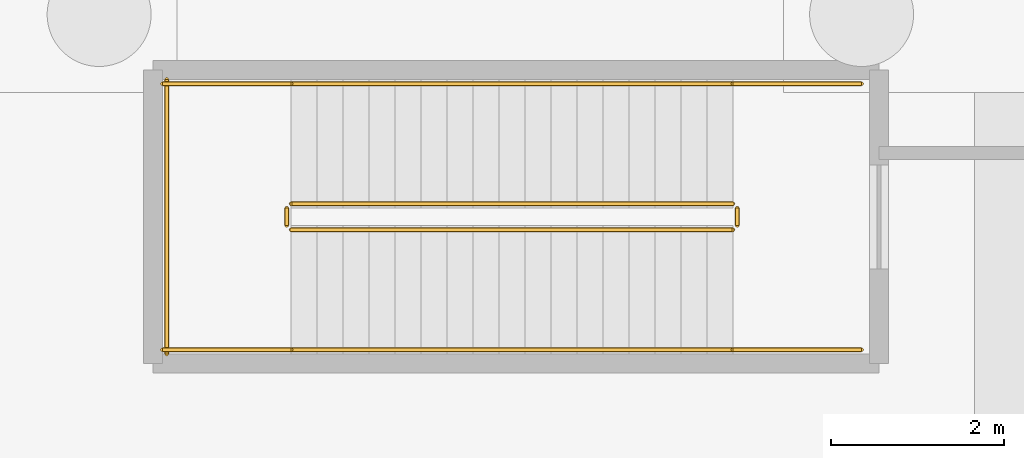
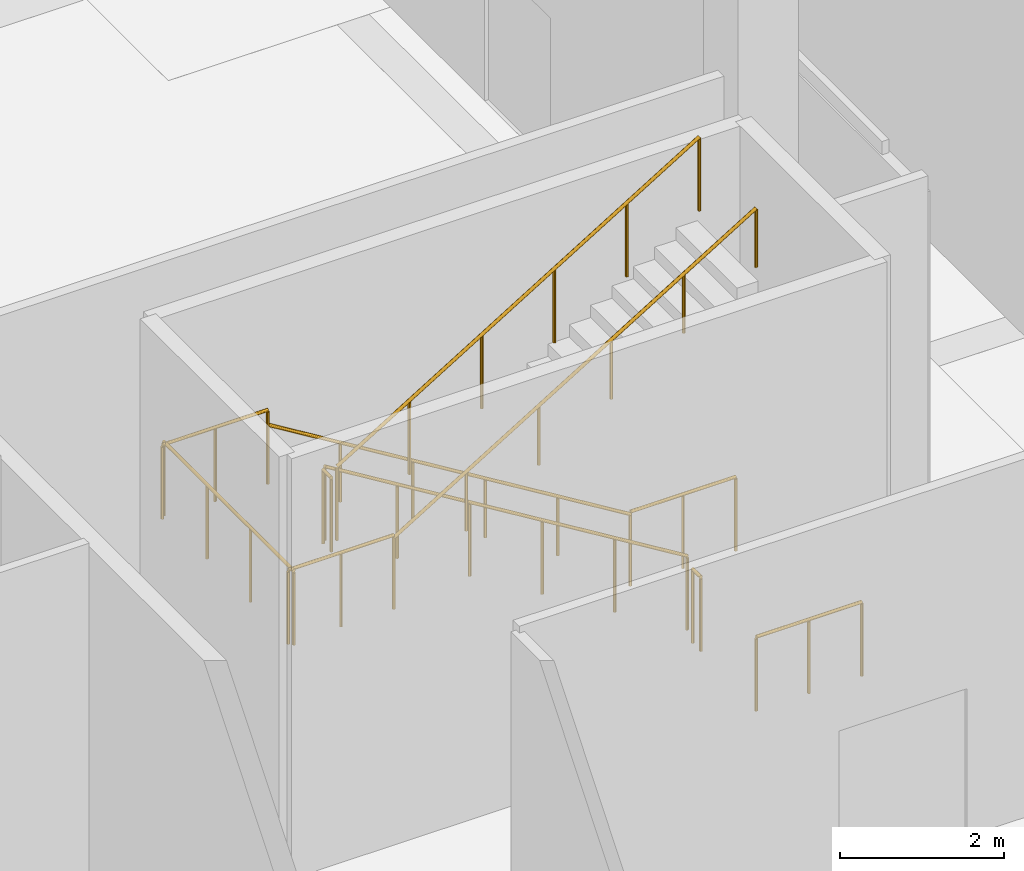
# One storey, part 110 of 117: 11 railings.
"""IFC4 building model written with IfcOpenShell, lengths in metres."""

from ifc_helpers import new_model, si_unit, direction, frame, origin, origin_2d, place, context, subcontext, project, spatial, circle, extrude, material, type_object, element, save


model = new_model("IFC4")

# Units and contexts
model_context = context("Model", 3, precision=1e-05, world=origin(), true_north=direction((0.0, 1.0)))
body_context = subcontext(model_context, "Body", "Model", "MODEL_VIEW")
ifc_project = project(units=[si_unit("LENGTHUNIT", "METRE"), si_unit("AREAUNIT", "SQUARE_METRE"), si_unit("VOLUMEUNIT", "CUBIC_METRE"), si_unit("PLANEANGLEUNIT", "RADIAN"), si_unit("MASSUNIT", "GRAM", prefix="KILO")], contexts=[model_context])

# Site, building, storey
site_placement = place(None, origin())
site = spatial("IfcSite", under=ifc_project, at=site_placement, CompositionType="ELEMENT")
building_placement = place(site_placement, origin())
building = spatial("IfcBuilding", under=site, at=building_placement, Name="Kamomehara Wholesale Market", CompositionType="ELEMENT")
storey_placement = place(building_placement, origin())
storey = spatial("IfcBuildingStorey", under=building, at=storey_placement, Name="L00", CompositionType="ELEMENT", Elevation=0.0)

# Railings
ifc_material_1 = material(Name="Steel SN400B", Category="steel")
railing_type_1 = type_object("IfcRailingType", Name="RAL-HND-900", PredefinedType="HANDRAIL", material=ifc_material_1)
railing_1_placement = place(storey_placement, frame((176.9150390625, 57.60009765625, 0.183349609375)))
element("IfcRailing", 1, at=railing_1_placement, inside=storey, type_object=railing_type_1, Name="L00 ST-10 stair handrail 1", PredefinedType="HANDRAIL", context=body_context, shape_type="SweptSolid", body=[
    extrude(circle(Radius=0.02392578125, at=origin_2d()), frame((0.0, 0.0, 0.8759765625), z_axis=(-0.853283853024, 0.0, 0.521446705012), x_axis=(0.0, -1.0, 0.0)), (0.0, 0.0, 1.0), 5.97705078125),
    extrude(circle(Radius=0.02099609375, at=origin_2d()), origin(), (0.0, 0.0, 1.0), 0.851806640625),
    extrude(circle(Radius=0.02099609375, at=origin_2d()), frame((-1.02001953125, 0.0, 0.623291015625)), (0.0, 0.0, 1.0), 0.851806640625),
    extrude(circle(Radius=0.02099609375, at=origin_2d()), frame((-2.0400390625, 0.0, 1.24658203125)), (0.0, 0.0, 1.0), 0.851806640625),
    extrude(circle(Radius=0.02099609375, at=origin_2d()), frame((-3.06005859375, 0.0, 1.8701171875)), (0.0, 0.0, 1.0), 0.851806640625),
    extrude(circle(Radius=0.02099609375, at=origin_2d()), frame((-4.080078125, 0.0, 2.493408203125)), (0.0, 0.0, 1.0), 0.851806640625),
    extrude(circle(Radius=0.02099609375, at=origin_2d()), frame((-5.10009765625, 0.0, 3.11669921875)), (0.0, 0.0, 1.0), 0.851806640625),
])
railing_2_placement = place(storey_placement, frame((171.81494140625, 54.530029296875, 3.4833984375)))
element("IfcRailing", 2, at=railing_2_placement, inside=storey, type_object=railing_type_1, Name="L00 ST-10 stair handrail 2", PredefinedType="HANDRAIL", context=body_context, shape_type="SweptSolid", body=[
    extrude(circle(Radius=0.02392578125, at=origin_2d()), frame((0.0, 0.0, 0.8759765625), z_axis=(0.853283853024, 0.0, 0.521446705012), x_axis=(0.0, 1.0, 0.0)), (0.0, 0.0, 1.0), 5.97705078125),
    extrude(circle(Radius=0.02099609375, at=origin_2d()), origin(), (0.0, 0.0, 1.0), 0.851806640625),
    extrude(circle(Radius=0.02099609375, at=origin_2d()), frame((1.02001953125, 0.0, 0.623291015625)), (0.0, 0.0, 1.0), 0.851806640625),
    extrude(circle(Radius=0.02099609375, at=origin_2d()), frame((2.0400390625, 0.0, 1.24658203125)), (0.0, 0.0, 1.0), 0.851806640625),
    extrude(circle(Radius=0.02099609375, at=origin_2d()), frame((3.06005859375, 0.0, 1.8701171875)), (0.0, 0.0, 1.0), 0.851806640625),
    extrude(circle(Radius=0.02099609375, at=origin_2d()), frame((4.080078125, 0.0, 2.493408203125)), (0.0, 0.0, 1.0), 0.851806640625),
    extrude(circle(Radius=0.02099609375, at=origin_2d()), frame((5.10009765625, 0.0, 3.11669921875)), (0.0, 0.0, 1.0), 0.851806640625),
])
ifc_material_2 = material(Name="Steel SN400B", Category="steel")
railing_type_2 = type_object("IfcRailingType", Name="RAL-INT-1100", PredefinedType="BALUSTRADE", material=ifc_material_2)
railing_3_placement = place(storey_placement, frame((176.9150390625, 56.215087890625, 0.183349609375)))
element("IfcRailing", 3, at=railing_3_placement, inside=storey, type_object=railing_type_2, Name="L00 ST-10 stair guard 1", PredefinedType="BALUSTRADE", context=body_context, shape_type="SweptSolid", body=[
    extrude(circle(Radius=0.02392578125, at=origin_2d()), frame((0.0, 0.0, 1.09619140625), z_axis=(-0.853283853024, 0.0, 0.521446705012), x_axis=(0.0, -1.0, 0.0)), (0.0, 0.0, 1.0), 5.97705078125),
    extrude(circle(Radius=0.02099609375, at=origin_2d()), origin(), (0.0, 0.0, 1.0), 1.072021484375),
    extrude(circle(Radius=0.02099609375, at=origin_2d()), frame((-1.02001953125, 0.0, 0.623291015625)), (0.0, 0.0, 1.0), 1.072021484375),
    extrude(circle(Radius=0.02099609375, at=origin_2d()), frame((-2.0400390625, 0.0, 1.24658203125)), (0.0, 0.0, 1.0), 1.072021484375),
    extrude(circle(Radius=0.02099609375, at=origin_2d()), frame((-3.06005859375, 0.0, 1.8701171875)), (0.0, 0.0, 1.0), 1.072021484375),
    extrude(circle(Radius=0.02099609375, at=origin_2d()), frame((-4.080078125, 0.0, 2.493408203125)), (0.0, 0.0, 1.0), 1.072021484375),
    extrude(circle(Radius=0.02099609375, at=origin_2d()), frame((-5.10009765625, 0.0, 3.11669921875)), (0.0, 0.0, 1.0), 1.072021484375),
])
railing_4_placement = place(storey_placement, frame((171.764892578125, 56.1650390625, 3.300048828125)))
element("IfcRailing", 4, at=railing_4_placement, inside=storey, type_object=railing_type_2, Name="L00 ST-10 stair guard 2", PredefinedType="BALUSTRADE", context=body_context, shape_type="SweptSolid", body=[
    extrude(circle(Radius=0.02392578125, at=origin_2d()), frame((0.0, 0.0, 1.09619140625), z_axis=(0.0, -1.0, 0.0), x_axis=(1.0, 0.0, 0.0)), (0.0, 0.0, 1.0), 0.199951171875),
    extrude(circle(Radius=0.02099609375, at=origin_2d()), origin(), (0.0, 0.0, 1.0), 1.072021484375),
    extrude(circle(Radius=0.02099609375, at=origin_2d()), frame((0.0, -0.199951171875, 0.0)), (0.0, 0.0, 1.0), 1.072021484375),
])
for number, where, name in (
    (5, (171.81494140625, 57.60009765625, 3.300048828125), "L00 ST-10 stair guard 3"),
    (6, (171.81494140625, 54.530029296875, 3.300048828125), "L00 ST-10 stair guard 4"),
):
    element("IfcRailing", number, at=place(storey_placement, frame(where)), inside=storey, type_object=railing_type_2, Name=name, PredefinedType="BALUSTRADE", context=body_context, shape_type="SweptSolid", body=[
        extrude(circle(Radius=0.02392578125, at=origin_2d()), frame((0.0, 0.0, 1.09619140625), z_axis=(-1.0, 0.0, 0.0), x_axis=(0.0, -1.0, 0.0)), (0.0, 0.0, 1.0), 1.48486328125),
        extrude(circle(Radius=0.02099609375, at=origin_2d()), origin(), (0.0, 0.0, 1.0), 1.072021484375),
        extrude(circle(Radius=0.02099609375, at=origin_2d()), frame((-0.742431640625, 0.0, 0.0)), (0.0, 0.0, 1.0), 1.072021484375),
        extrude(circle(Radius=0.02099609375, at=origin_2d()), frame((-1.48486328125, 0.0, 0.0)), (0.0, 0.0, 1.0), 1.072021484375),
    ])
railing_5_placement = place(storey_placement, frame((170.3798828125, 57.64990234375, 3.300048828125)))
element("IfcRailing", 7, at=railing_5_placement, inside=storey, type_object=railing_type_2, Name="L00 ST-10 stair guard 5", PredefinedType="BALUSTRADE", context=body_context, shape_type="SweptSolid", body=[
    extrude(circle(Radius=0.02392578125, at=origin_2d()), frame((0.0, 0.0, 1.09619140625), z_axis=(0.0, -1.0, 0.0), x_axis=(1.0, 0.0, 0.0)), (0.0, 0.0, 1.0), 3.169921875),
    extrude(circle(Radius=0.02099609375, at=origin_2d()), origin(), (0.0, 0.0, 1.0), 1.072021484375),
    extrude(circle(Radius=0.02099609375, at=origin_2d()), frame((0.0, -1.056640625, 0.0)), (0.0, 0.0, 1.0), 1.072021484375),
    extrude(circle(Radius=0.02099609375, at=origin_2d()), frame((0.0, -2.11328125, 0.0)), (0.0, 0.0, 1.0), 1.072021484375),
    extrude(circle(Radius=0.02099609375, at=origin_2d()), frame((0.0, -3.169921875, 0.0)), (0.0, 0.0, 1.0), 1.072021484375),
])
railing_6_placement = place(storey_placement, frame((171.81494140625, 55.9150390625, 3.4833984375)))
element("IfcRailing", 8, at=railing_6_placement, inside=storey, type_object=railing_type_2, Name="L00 ST-10 stair guard 6", PredefinedType="BALUSTRADE", context=body_context, shape_type="SweptSolid", body=[
    extrude(circle(Radius=0.02392578125, at=origin_2d()), frame((0.0, 0.0, 1.09619140625), z_axis=(0.853283853024, 0.0, 0.521446705012), x_axis=(0.0, 1.0, 0.0)), (0.0, 0.0, 1.0), 5.97705078125),
    extrude(circle(Radius=0.02099609375, at=origin_2d()), origin(), (0.0, 0.0, 1.0), 1.072021484375),
    extrude(circle(Radius=0.02099609375, at=origin_2d()), frame((1.02001953125, 0.0, 0.623291015625)), (0.0, 0.0, 1.0), 1.072021484375),
    extrude(circle(Radius=0.02099609375, at=origin_2d()), frame((2.0400390625, 0.0, 1.24658203125)), (0.0, 0.0, 1.0), 1.072021484375),
    extrude(circle(Radius=0.02099609375, at=origin_2d()), frame((3.06005859375, 0.0, 1.8701171875)), (0.0, 0.0, 1.0), 1.072021484375),
    extrude(circle(Radius=0.02099609375, at=origin_2d()), frame((4.080078125, 0.0, 2.493408203125)), (0.0, 0.0, 1.0), 1.072021484375),
    extrude(circle(Radius=0.02099609375, at=origin_2d()), frame((5.10009765625, 0.0, 3.11669921875)), (0.0, 0.0, 1.0), 1.072021484375),
])
railing_7_placement = place(storey_placement, frame((176.965087890625, 56.1650390625, 0.0)))
element("IfcRailing", 9, at=railing_7_placement, inside=storey, type_object=railing_type_2, Name="L00 ST-10 stair guard 7", PredefinedType="BALUSTRADE", context=body_context, shape_type="SweptSolid", body=[
    extrude(circle(Radius=0.02392578125, at=origin_2d()), frame((0.0, 0.0, 1.09619140625), z_axis=(0.0, -1.0, 0.0), x_axis=(1.0, 0.0, 0.0)), (0.0, 0.0, 1.0), 0.199951171875),
    extrude(circle(Radius=0.02099609375, at=origin_2d()), origin(), (0.0, 0.0, 1.0), 1.072021484375),
    extrude(circle(Radius=0.02099609375, at=origin_2d()), frame((0.0, -0.199951171875, 0.0)), (0.0, 0.0, 1.0), 1.072021484375),
])
for number, where, name in (
    (10, (178.39990234375, 57.60009765625, 0.0), "L00 ST-10 stair guard 8"),
    (11, (178.39990234375, 54.530029296875, 0.0), "L00 ST-10 stair guard 9"),
):
    element("IfcRailing", number, at=place(storey_placement, frame(where)), inside=storey, type_object=railing_type_2, Name=name, PredefinedType="BALUSTRADE", context=body_context, shape_type="SweptSolid", body=[
        extrude(circle(Radius=0.02392578125, at=origin_2d()), frame((0.0, 0.0, 1.09619140625), z_axis=(-1.0, 0.0, 0.0), x_axis=(0.0, -1.0, 0.0)), (0.0, 0.0, 1.0), 1.48486328125),
        extrude(circle(Radius=0.02099609375, at=origin_2d()), origin(), (0.0, 0.0, 1.0), 1.072021484375),
        extrude(circle(Radius=0.02099609375, at=origin_2d()), frame((-0.742431640625, 0.0, 0.0)), (0.0, 0.0, 1.0), 1.072021484375),
        extrude(circle(Radius=0.02099609375, at=origin_2d()), frame((-1.48486328125, 0.0, 0.0)), (0.0, 0.0, 1.0), 1.072021484375),
    ])

save(model, "model.ifc")
